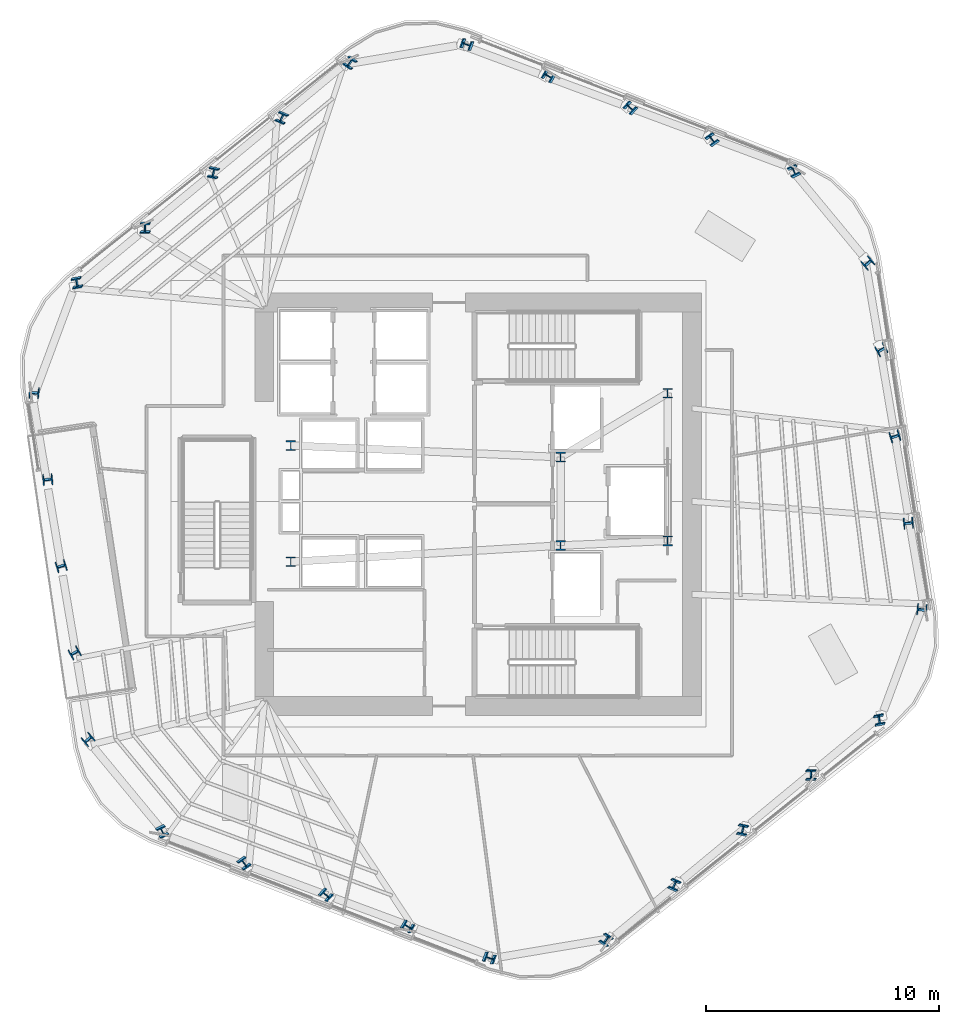
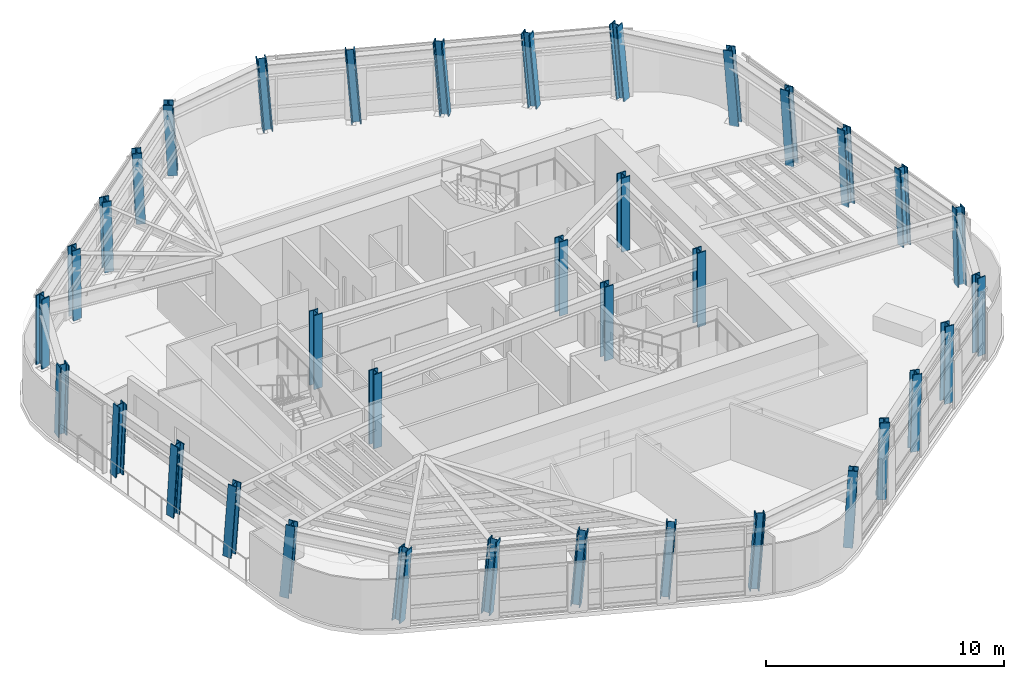
# One storey, part 1 of 15: 36 columns.
"""IFC4 building model written with IfcOpenShell, lengths in metres."""

from ifc_helpers import new_model, si_unit, direction, frame, origin, origin_2d, place, context, subcontext, project, spatial, i_section, extrude, material, material_profile, profile_set, type_object, element, save


model = new_model("IFC4")

# Units and contexts
model_context = context("Model", 3, precision=1e-05, world=origin(), true_north=direction((0.0, 1.0)))
body_context = subcontext(model_context, "Body", "Model", "MODEL_VIEW")
ifc_project = project(units=[si_unit("LENGTHUNIT", "METRE"), si_unit("AREAUNIT", "SQUARE_METRE"), si_unit("VOLUMEUNIT", "CUBIC_METRE"), si_unit("PLANEANGLEUNIT", "RADIAN"), si_unit("MASSUNIT", "GRAM", prefix="KILO")], contexts=[model_context])

# Site, building, storey
site_placement = place(None, origin())
site = spatial("IfcSite", under=ifc_project, at=site_placement, CompositionType="ELEMENT")
building_placement = place(site_placement, origin())
building = spatial("IfcBuilding", under=site, at=building_placement, Name="Valkerne Bourse Tower", CompositionType="ELEMENT")
storey_placement = place(building_placement, frame((0.0, 0.0, 189.39990234375)))
storey = spatial("IfcBuildingStorey", under=building, at=storey_placement, Name="L48", CompositionType="ELEMENT", Elevation=189.39990234375)

# Columns
ifc_material = material(Name="Steel ASTM A913 Grade 65", Category="steel")
ifc_material_profile_1 = material_profile(ifc_material, i_section(OverallWidth=0.406494140625, OverallDepth=0.41650390625, WebThickness=0.02978515625, FlangeThickness=0.048095703125, FilletRadius=0.025390625, at=origin_2d()), Name="W14X257")
ifc_profile_set_1 = profile_set([ifc_material_profile_1], Name="Steel ASTM A913 Grade 65")
column_type_1 = type_object("IfcColumnType", Name="COL-W14X257", PredefinedType="COLUMN", material=ifc_profile_set_1)
column_1_placement = place(storey_placement, frame((60.41748046875, 41.164306640625, 0.010009765625), z_axis=(-0.059143184183, 0.055925383085, 0.996681712129), x_axis=(0.903193203433, 0.428214647531, 0.029567768144)))
element("IfcColumn", 1, at=column_1_placement, inside=storey, type_object=column_type_1, Name="L48 Helical Perimeter Tube Column F1-C1", PredefinedType="COLUMN", context=body_context, shape_type="SweptSolid", body=[
    extrude(i_section(OverallWidth=0.406494140625, OverallDepth=0.41650390625, WebThickness=0.02978515625, FlangeThickness=0.048095703125, FilletRadius=0.025390625, at=origin_2d()), origin(), (0.0, 0.0, 1.0), 3.793701171875),
])
column_2_placement = place(storey_placement, frame((56.904052734375, 42.5341796875, 0.010009765625), z_axis=(-0.064701593599, 0.041331764269, 0.997048338371), x_axis=(0.806784733038, 0.590186912796, 0.027889110782)))
element("IfcColumn", 2, at=column_2_placement, inside=storey, type_object=column_type_1, Name="L48 Helical Perimeter Tube Column F1-C2", PredefinedType="COLUMN", context=body_context, shape_type="SweptSolid", body=[
    extrude(i_section(OverallWidth=0.406494140625, OverallDepth=0.41650390625, WebThickness=0.02978515625, FlangeThickness=0.048095703125, FilletRadius=0.025390625, at=origin_2d()), origin(), (0.0, 0.0, 1.0), 3.792236328125),
])
column_3_placement = place(storey_placement, frame((53.390625, 43.90380859375, 0.010009765625), z_axis=(-0.070246815433, 0.026785220183, 0.997169963898), x_axis=(0.670396983594, 0.741499889704, 0.027309301671)))
element("IfcColumn", 3, at=column_3_placement, inside=storey, type_object=column_type_1, Name="L48 Helical Perimeter Tube Column F1-C3", PredefinedType="COLUMN", context=body_context, shape_type="SweptSolid", body=[
    extrude(i_section(OverallWidth=0.406494140625, OverallDepth=0.41650390625, WebThickness=0.02978515625, FlangeThickness=0.048095703125, FilletRadius=0.025390625, at=origin_2d()), origin(), (0.0, 0.0, 1.0), 3.791748046875),
])
column_4_placement = place(storey_placement, frame((49.877197265625, 45.273681640625, 0.010009765625), z_axis=(-0.07583908974, 0.012167731716, 0.997045825814), x_axis=(0.505199028729, 0.862551724686, 0.027900960798)))
element("IfcColumn", 4, at=column_4_placement, inside=storey, type_object=column_type_1, Name="L48 Helical Perimeter Tube Column F1-C4", PredefinedType="COLUMN", context=body_context, shape_type="SweptSolid", body=[
    extrude(i_section(OverallWidth=0.406494140625, OverallDepth=0.41650390625, WebThickness=0.02978515625, FlangeThickness=0.048095703125, FilletRadius=0.025390625, at=origin_2d()), origin(), (0.0, 0.0, 1.0), 3.792236328125),
])
column_5_placement = place(storey_placement, frame((46.36376953125, 46.6435546875, 0.010009765625), z_axis=(-0.081346109801, -0.002445531782, 0.996682913365), x_axis=(0.333885740909, 0.942149868685, 0.029562424712)))
element("IfcColumn", 5, at=column_5_placement, inside=storey, type_object=column_type_1, Name="L48 Helical Perimeter Tube Column F1-C5", PredefinedType="COLUMN", context=body_context, shape_type="SweptSolid", body=[
    extrude(i_section(OverallWidth=0.406494140625, OverallDepth=0.41650390625, WebThickness=0.02978515625, FlangeThickness=0.048095703125, FilletRadius=0.025390625, at=origin_2d()), origin(), (0.0, 0.0, 1.0), 3.793701171875),
])
column_6_placement = place(storey_placement, frame((41.342041015625, 45.875, 0.010009765625), z_axis=(-0.077935723775, -0.023168340676, 0.996689144593), x_axis=(-0.819721327002, 0.570502074182, -0.050836300142)))
element("IfcColumn", 6, at=column_6_placement, inside=storey, type_object=column_type_1, Name="L48 Helical Perimeter Tube Column F2-C1", PredefinedType="COLUMN", context=body_context, shape_type="SweptSolid", body=[
    extrude(i_section(OverallWidth=0.406494140625, OverallDepth=0.41650390625, WebThickness=0.02978515625, FlangeThickness=0.048095703125, FilletRadius=0.025390625, at=origin_2d()), origin(), (0.0, 0.0, 1.0), 3.79345703125),
])
column_7_placement = place(storey_placement, frame((38.399169921875, 43.517333984375, 0.010009765625), z_axis=(-0.068177999221, -0.035344401863, 0.997046906459), x_axis=(-0.912634798002, 0.40594610298, -0.048015486572)))
element("IfcColumn", 7, at=column_7_placement, inside=storey, type_object=column_type_1, Name="L48 Helical Perimeter Tube Column F2-C2", PredefinedType="COLUMN", context=body_context, shape_type="SweptSolid", body=[
    extrude(i_section(OverallWidth=0.406494140625, OverallDepth=0.41650390625, WebThickness=0.02978515625, FlangeThickness=0.048095703125, FilletRadius=0.025390625, at=origin_2d()), origin(), (0.0, 0.0, 1.0), 3.792236328125),
])
column_8_placement = place(storey_placement, frame((35.4560546875, 41.159423828125, 0.010009765625), z_axis=(-0.05827086947, -0.04745373569, 0.997172326501), x_axis=(-0.976258974292, 0.211449060626, -0.046986273265)))
element("IfcColumn", 8, at=column_8_placement, inside=storey, type_object=column_type_1, Name="L48 Helical Perimeter Tube Column F2-C3", PredefinedType="COLUMN", context=body_context, shape_type="SweptSolid", body=[
    extrude(i_section(OverallWidth=0.406494140625, OverallDepth=0.41650390625, WebThickness=0.02978515625, FlangeThickness=0.048095703125, FilletRadius=0.025390625, at=origin_2d()), origin(), (0.0, 0.0, 1.0), 3.791748046875),
])
column_9_placement = place(storey_placement, frame((32.51318359375, 38.8017578125, 0.010009765625), z_axis=(-0.048413637084, -0.059551348806, 0.997050528609), x_axis=(-0.998811068963, 0.008589831883, -0.047986074086)))
element("IfcColumn", 9, at=column_9_placement, inside=storey, type_object=column_type_1, Name="L48 Helical Perimeter Tube Column F2-C4", PredefinedType="COLUMN", context=body_context, shape_type="SweptSolid", body=[
    extrude(i_section(OverallWidth=0.406494140625, OverallDepth=0.41650390625, WebThickness=0.02978515625, FlangeThickness=0.048095703125, FilletRadius=0.025390625, at=origin_2d()), origin(), (0.0, 0.0, 1.0), 3.792236328125),
])
column_10_placement = place(storey_placement, frame((29.570068359375, 36.44384765625, 0.010009765625), z_axis=(-0.03854942895, -0.071628571655, 0.996686153837), x_axis=(-0.982553215857, -0.178892476084, -0.050859217549)))
element("IfcColumn", 10, at=column_10_placement, inside=storey, type_object=column_type_1, Name="L48 Helical Perimeter Tube Column F2-C5", PredefinedType="COLUMN", context=body_context, shape_type="SweptSolid", body=[
    extrude(i_section(OverallWidth=0.406494140625, OverallDepth=0.41650390625, WebThickness=0.02978515625, FlangeThickness=0.048095703125, FilletRadius=0.025390625, at=origin_2d()), origin(), (0.0, 0.0, 1.0), 3.79345703125),
])
column_11_placement = place(storey_placement, frame((27.724609375, 31.7109375, 0.010009765625), z_axis=(-0.018856352429, -0.079158066512, 0.996683720384), x_axis=(-0.081157919792, -0.993450215549, -0.080436691136)))
element("IfcColumn", 11, at=column_11_placement, inside=storey, type_object=column_type_1, Name="L48 Helical Perimeter Tube Column F3-C1", PredefinedType="COLUMN", context=body_context, shape_type="SweptSolid", body=[
    extrude(i_section(OverallWidth=0.406494140625, OverallDepth=0.41650390625, WebThickness=0.02978515625, FlangeThickness=0.048095703125, FilletRadius=0.025390625, at=origin_2d()), origin(), (0.0, 0.0, 1.0), 3.793701171875),
])
column_12_placement = place(storey_placement, frame((28.295166015625, 27.9833984375, 0.010009765625), z_axis=(-0.003476492074, -0.076740343563, 0.997045050974), x_axis=(0.106503151066, -0.991408558669, -0.075935160572)))
element("IfcColumn", 12, at=column_12_placement, inside=storey, type_object=column_type_1, Name="L48 Helical Perimeter Tube Column F3-C2", PredefinedType="COLUMN", context=body_context, shape_type="SweptSolid", body=[
    extrude(i_section(OverallWidth=0.406494140625, OverallDepth=0.41650390625, WebThickness=0.02978515625, FlangeThickness=0.048095703125, FilletRadius=0.025390625, at=origin_2d()), origin(), (0.0, 0.0, 1.0), 3.792236328125),
])
column_13_placement = place(storey_placement, frame((28.865478515625, 24.255615234375, 0.010009765625), z_axis=(0.011976124663, -0.07417470759, 0.997173347614), x_axis=(0.306441675662, -0.948987538635, -0.074270794614)))
element("IfcColumn", 13, at=column_13_placement, inside=storey, type_object=column_type_1, Name="L48 Helical Perimeter Tube Column F3-C3", PredefinedType="COLUMN", context=body_context, shape_type="SweptSolid", body=[
    extrude(i_section(OverallWidth=0.406494140625, OverallDepth=0.41650390625, WebThickness=0.02978515625, FlangeThickness=0.048095703125, FilletRadius=0.025390625, at=origin_2d()), origin(), (0.0, 0.0, 1.0), 3.791748046875),
])
column_14_placement = place(storey_placement, frame((29.435791015625, 20.528076171875, 0.010009765625), z_axis=(0.027425734038, -0.071718938305, 0.997047753621), x_axis=(0.493311342754, -0.866535075182, -0.075900478192)))
element("IfcColumn", 14, at=column_14_placement, inside=storey, type_object=column_type_1, Name="L48 Helical Perimeter Tube Column F3-C4", PredefinedType="COLUMN", context=body_context, shape_type="SweptSolid", body=[
    extrude(i_section(OverallWidth=0.406494140625, OverallDepth=0.41650390625, WebThickness=0.02978515625, FlangeThickness=0.048095703125, FilletRadius=0.025390625, at=origin_2d()), origin(), (0.0, 0.0, 1.0), 3.792236328125),
])
for number, where, z_axis, x_axis, name in (
    (15, (30.00634765625, 16.80029296875, 0.010009765625), (0.042796920513, -0.069182991807, 0.996685575916), (0.646942781392, -0.758286614979, -0.080414222298), "L48 Helical Perimeter Tube Column F3-C5"),
    (16, (33.1826171875, 12.835693359375, 0.010009765625), (0.059079052907, -0.055925595835, 0.996685503676), (0.903426818405, 0.42772272345, -0.029550898987), "L48 Helical Perimeter Tube Column F4-C1"),
):
    element("IfcColumn", number, at=place(storey_placement, frame(where, z_axis=z_axis, x_axis=x_axis)), inside=storey, type_object=column_type_1, Name=name, PredefinedType="COLUMN", context=body_context, shape_type="SweptSolid", body=[
        extrude(i_section(OverallWidth=0.406494140625, OverallDepth=0.41650390625, WebThickness=0.02978515625, FlangeThickness=0.048095703125, FilletRadius=0.025390625, at=origin_2d()), origin(), (0.0, 0.0, 1.0), 3.793701171875),
    ])
column_15_placement = place(storey_placement, frame((36.696044921875, 11.4658203125, 0.010009765625), z_axis=(0.064701593599, -0.041331764269, 0.997048338371), x_axis=(0.806784733038, 0.590186912796, -0.027889110782)))
element("IfcColumn", 17, at=column_15_placement, inside=storey, type_object=column_type_1, Name="L48 Helical Perimeter Tube Column F4-C2", PredefinedType="COLUMN", context=body_context, shape_type="SweptSolid", body=[
    extrude(i_section(OverallWidth=0.406494140625, OverallDepth=0.41650390625, WebThickness=0.02978515625, FlangeThickness=0.048095703125, FilletRadius=0.025390625, at=origin_2d()), origin(), (0.0, 0.0, 1.0), 3.792236328125),
])
column_16_placement = place(storey_placement, frame((40.20947265625, 10.09619140625, 0.010009765625), z_axis=(0.070246815433, -0.026785220183, 0.997169963898), x_axis=(0.670396983594, 0.741499889704, -0.027309301671)))
element("IfcColumn", 18, at=column_16_placement, inside=storey, type_object=column_type_1, Name="L48 Helical Perimeter Tube Column F4-C3", PredefinedType="COLUMN", context=body_context, shape_type="SweptSolid", body=[
    extrude(i_section(OverallWidth=0.406494140625, OverallDepth=0.41650390625, WebThickness=0.02978515625, FlangeThickness=0.048095703125, FilletRadius=0.025390625, at=origin_2d()), origin(), (0.0, 0.0, 1.0), 3.791748046875),
])
column_17_placement = place(storey_placement, frame((43.722900390625, 8.726318359375, 0.010009765625), z_axis=(0.075775080022, -0.0121677911, 0.997050691844), x_axis=(0.505315394154, 0.862484300835, -0.027878006461)))
element("IfcColumn", 19, at=column_17_placement, inside=storey, type_object=column_type_1, Name="L48 Helical Perimeter Tube Column F4-C4", PredefinedType="COLUMN", context=body_context, shape_type="SweptSolid", body=[
    extrude(i_section(OverallWidth=0.406494140625, OverallDepth=0.41650390625, WebThickness=0.02978515625, FlangeThickness=0.048095703125, FilletRadius=0.025390625, at=origin_2d()), origin(), (0.0, 0.0, 1.0), 3.792236328125),
])
for number, where, z_axis, x_axis, name in (
    (20, (47.236328125, 7.3564453125, 0.010009765625), (0.081346109801, 0.002445531782, 0.996682913365), (0.333885740909, 0.942149868685, -0.029562424712), "L48 Helical Perimeter Tube Column F4-C5"),
    (21, (52.2578125, 8.125, 0.010009765625), (0.077999688896, 0.023168224424, 0.996684143502), (-0.819589731355, 0.570687695385, 0.050874616392), "L48 Helical Perimeter Tube Column F5-C1"),
):
    element("IfcColumn", number, at=place(storey_placement, frame(where, z_axis=z_axis, x_axis=x_axis)), inside=storey, type_object=column_type_1, Name=name, PredefinedType="COLUMN", context=body_context, shape_type="SweptSolid", body=[
        extrude(i_section(OverallWidth=0.406494140625, OverallDepth=0.41650390625, WebThickness=0.02978515625, FlangeThickness=0.048095703125, FilletRadius=0.025390625, at=origin_2d()), origin(), (0.0, 0.0, 1.0), 3.793701171875),
    ])
column_18_placement = place(storey_placement, frame((55.200927734375, 10.482666015625, 0.010009765625), z_axis=(0.068113918449, 0.035344556927, 0.997051280732), x_axis=(-0.912793903106, 0.40559242284, 0.047979964444)))
element("IfcColumn", 22, at=column_18_placement, inside=storey, type_object=column_type_1, Name="L48 Helical Perimeter Tube Column F5-C2", PredefinedType="COLUMN", context=body_context, shape_type="SweptSolid", body=[
    extrude(i_section(OverallWidth=0.406494140625, OverallDepth=0.41650390625, WebThickness=0.02978515625, FlangeThickness=0.048095703125, FilletRadius=0.025390625, at=origin_2d()), origin(), (0.0, 0.0, 1.0), 3.792236328125),
])
column_19_placement = place(storey_placement, frame((58.143798828125, 12.840576171875, 0.010009765625), z_axis=(0.058335038182, 0.04745355755, 0.997168583137), x_axis=(-0.976142689745, 0.211978350046, 0.047017319876)))
element("IfcColumn", 23, at=column_19_placement, inside=storey, type_object=column_type_1, Name="L48 Helical Perimeter Tube Column F5-C3", PredefinedType="COLUMN", context=body_context, shape_type="SweptSolid", body=[
    extrude(i_section(OverallWidth=0.406494140625, OverallDepth=0.41650390625, WebThickness=0.02978515625, FlangeThickness=0.048095703125, FilletRadius=0.025390625, at=origin_2d()), origin(), (0.0, 0.0, 1.0), 3.791748046875),
])
column_20_placement = place(storey_placement, frame((61.0869140625, 15.1982421875, 0.010009765625), z_axis=(0.048413637084, 0.059551348806, 0.997050528609), x_axis=(-0.998811068963, 0.008589831883, 0.047986074086)))
element("IfcColumn", 24, at=column_20_placement, inside=storey, type_object=column_type_1, Name="L48 Helical Perimeter Tube Column F5-C4", PredefinedType="COLUMN", context=body_context, shape_type="SweptSolid", body=[
    extrude(i_section(OverallWidth=0.406494140625, OverallDepth=0.41650390625, WebThickness=0.02978515625, FlangeThickness=0.048095703125, FilletRadius=0.025390625, at=origin_2d()), origin(), (0.0, 0.0, 1.0), 3.792236328125),
])
column_21_placement = place(storey_placement, frame((64.02978515625, 17.55615234375, 0.010009765625), z_axis=(0.03854942895, 0.071628571655, 0.996686153837), x_axis=(-0.982553215857, -0.178892476084, 0.050859217549)))
element("IfcColumn", 25, at=column_21_placement, inside=storey, type_object=column_type_1, Name="L48 Helical Perimeter Tube Column F5-C5", PredefinedType="COLUMN", context=body_context, shape_type="SweptSolid", body=[
    extrude(i_section(OverallWidth=0.406494140625, OverallDepth=0.41650390625, WebThickness=0.02978515625, FlangeThickness=0.048095703125, FilletRadius=0.025390625, at=origin_2d()), origin(), (0.0, 0.0, 1.0), 3.79345703125),
])
column_22_placement = place(storey_placement, frame((65.875244140625, 22.2890625, 0.010009765625), z_axis=(0.018920685581, 0.079157970288, 0.996682508825), x_axis=(-0.08192178954, -0.993386329326, 0.080451358636)))
element("IfcColumn", 26, at=column_22_placement, inside=storey, type_object=column_type_1, Name="L48 Helical Perimeter Tube Column F6-C1", PredefinedType="COLUMN", context=body_context, shape_type="SweptSolid", body=[
    extrude(i_section(OverallWidth=0.406494140625, OverallDepth=0.41650390625, WebThickness=0.02978515625, FlangeThickness=0.048095703125, FilletRadius=0.025390625, at=origin_2d()), origin(), (0.0, 0.0, 1.0), 3.793701171875),
])
column_23_placement = place(storey_placement, frame((65.304931640625, 26.0166015625, 0.010009765625), z_axis=(0.003476492074, 0.076740343563, 0.997045050974), x_axis=(0.106503151066, -0.991408558669, 0.075935160572)))
element("IfcColumn", 27, at=column_23_placement, inside=storey, type_object=column_type_1, Name="L48 Helical Perimeter Tube Column F6-C2", PredefinedType="COLUMN", context=body_context, shape_type="SweptSolid", body=[
    extrude(i_section(OverallWidth=0.406494140625, OverallDepth=0.41650390625, WebThickness=0.02978515625, FlangeThickness=0.048095703125, FilletRadius=0.025390625, at=origin_2d()), origin(), (0.0, 0.0, 1.0), 3.792236328125),
])
column_24_placement = place(storey_placement, frame((64.734619140625, 29.744384765625, 0.010009765625), z_axis=(-0.011976124663, 0.07417470759, 0.997173347614), x_axis=(0.306441675662, -0.948987538635, 0.074270794614)))
element("IfcColumn", 28, at=column_24_placement, inside=storey, type_object=column_type_1, Name="L48 Helical Perimeter Tube Column F6-C3", PredefinedType="COLUMN", context=body_context, shape_type="SweptSolid", body=[
    extrude(i_section(OverallWidth=0.406494140625, OverallDepth=0.41650390625, WebThickness=0.02978515625, FlangeThickness=0.048095703125, FilletRadius=0.025390625, at=origin_2d()), origin(), (0.0, 0.0, 1.0), 3.791748046875),
])
column_25_placement = place(storey_placement, frame((64.1640625, 33.471923828125, 0.010009765625), z_axis=(-0.027361402635, 0.071719064788, 0.997049512006), x_axis=(0.49263298637, -0.866922882566, 0.075877904719)))
element("IfcColumn", 29, at=column_25_placement, inside=storey, type_object=column_type_1, Name="L48 Helical Perimeter Tube Column F6-C4", PredefinedType="COLUMN", context=body_context, shape_type="SweptSolid", body=[
    extrude(i_section(OverallWidth=0.406494140625, OverallDepth=0.41650390625, WebThickness=0.02978515625, FlangeThickness=0.048095703125, FilletRadius=0.025390625, at=origin_2d()), origin(), (0.0, 0.0, 1.0), 3.792236328125),
])
column_26_placement = place(storey_placement, frame((63.59375, 37.19970703125, 0.010009765625), z_axis=(-0.042796920513, 0.069182991807, 0.996685575916), x_axis=(0.646942781392, -0.758286614979, 0.080414222298)))
element("IfcColumn", 30, at=column_26_placement, inside=storey, type_object=column_type_1, Name="L48 Helical Perimeter Tube Column F6-C5", PredefinedType="COLUMN", context=body_context, shape_type="SweptSolid", body=[
    extrude(i_section(OverallWidth=0.406494140625, OverallDepth=0.41650390625, WebThickness=0.02978515625, FlangeThickness=0.048095703125, FilletRadius=0.025390625, at=origin_2d()), origin(), (0.0, 0.0, 1.0), 3.793701171875),
])
ifc_material_profile_2 = material_profile(ifc_material, i_section(OverallWidth=0.408935546875, OverallDepth=0.42431640625, WebThickness=0.03271484375, FlangeThickness=0.052490234375, FilletRadius=0.025390625, at=origin_2d()), Name="W14X283")
ifc_profile_set_2 = profile_set([ifc_material_profile_2], Name="Steel ASTM A913 Grade 65")
column_type_2 = type_object("IfcColumnType", Name="COL-W14X283", PredefinedType="COLUMN", material=ifc_profile_set_2)
for number, where, z_axis, x_axis, name in (
    (31, (38.75, 24.39990234375, 0.005126953125), (0.0, 0.0, 1.0), (1.0, 0.0, 0.0), "L48 Core Frame Column CC-SW"),
    (32, (38.75, 29.39990234375, 0.005126953125), (0.0, 0.0, 1.0), (1.0, 0.0, 0.0), "L48 Core Frame Column CC-NW"),
    (33, (50.35009765625, 25.10009765625, 0.005126953125), (0.0, 0.0, 1.0), (1.0, 0.0, 0.0), "L48 Core Frame Column CC-CE1"),
    (34, (50.35009765625, 28.89990234375, 0.005126953125), (0.0, 0.0, 1.0), (1.0, 0.0, 0.0), "L48 Core Frame Column CC-CE2"),
    (35, (54.949951171875, 25.300048828125, 0.005126953125), (0.0, 0.0, 1.0), (1.0, 0.0, 0.0), "L48 Core Frame Column CC-SE"),
    (36, (54.949951171875, 31.64990234375, 0.005126953125), (0.0, 0.0, 1.0), (1.0, 0.0, 0.0), "L48 Core Frame Column CC-NE"),
):
    element("IfcColumn", number, at=place(storey_placement, frame(where, z_axis=z_axis, x_axis=x_axis)), inside=storey, type_object=column_type_2, Name=name, PredefinedType="COLUMN", context=body_context, shape_type="SweptSolid", body=[
        extrude(i_section(OverallWidth=0.408935546875, OverallDepth=0.42431640625, WebThickness=0.03271484375, FlangeThickness=0.052490234375, FilletRadius=0.025390625, at=origin_2d()), origin(), (0.0, 0.0, 1.0), 3.794921875),
    ])

save(model, "model.ifc")
